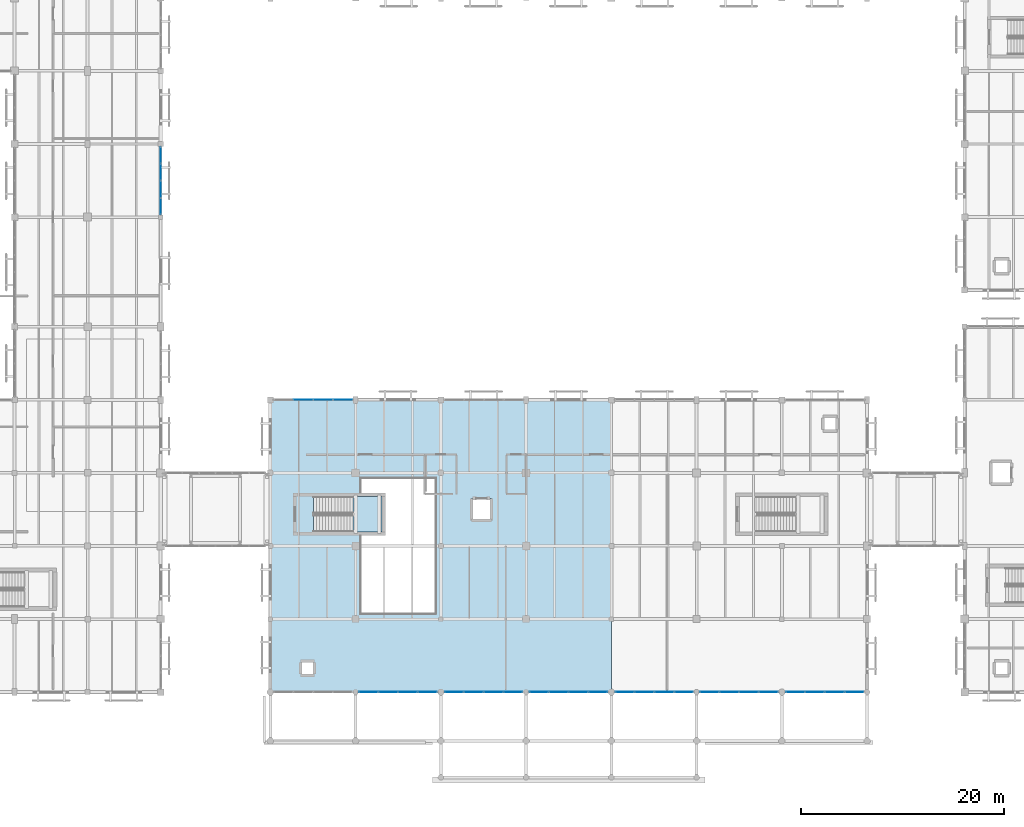
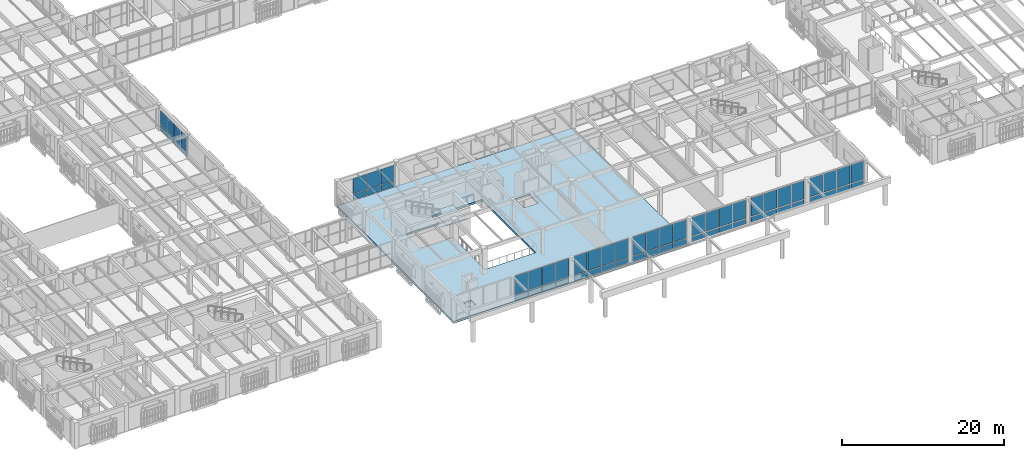
# One storey, part 118 of 170: 62 plates, 2 slabs, 9 elements without a shape of their own.
"""IFC4 building model written with IfcOpenShell, lengths in metres."""

from ifc_helpers import new_model, si_unit, direction, frame, origin, origin_2d, place, context, subcontext, project, spatial, polyline, rectangle, outline, extrude, material, layer, layer_set, type_object, element, aggregate, save


model = new_model("IFC4")

# Units and contexts
model_context = context("Model", 3, precision=1e-05, world=origin(), true_north=direction((0.0, 1.0)))
body_context = subcontext(model_context, "Body", "Model", "MODEL_VIEW")
ifc_project = project(units=[si_unit("LENGTHUNIT", "METRE"), si_unit("AREAUNIT", "SQUARE_METRE"), si_unit("VOLUMEUNIT", "CUBIC_METRE"), si_unit("PLANEANGLEUNIT", "RADIAN"), si_unit("MASSUNIT", "GRAM", prefix="KILO")], contexts=[model_context])

# Site, building, storey
site_placement = place(None, origin())
site = spatial("IfcSite", under=ifc_project, at=site_placement, CompositionType="ELEMENT")
building_placement = place(site_placement, origin())
building = spatial("IfcBuilding", under=site, at=building_placement, Name="Mazaris Harbour Polytechnic", CompositionType="ELEMENT")
storey_placement = place(building_placement, frame((0.0, 0.0, 5.39990234375)))
storey = spatial("IfcBuildingStorey", under=building, at=storey_placement, Name="L01", CompositionType="ELEMENT", Elevation=5.39990234375)

# Curtain wall, plates
ifc_material_1 = material(Name="Anodised Bronze Aluminium and Low-E Glass", Category="aluminium")
ifc_layer_1 = layer(ifc_material_1, 0.179931640625, Name="Anodised Bronze Aluminium and Low-E Glass")
ifc_layer_set_1 = layer_set([ifc_layer_1], Name="Anodised Bronze Aluminium and Low-E Glass")
curtain_wall_type_1 = type_object("IfcCurtainWallType", Name="Harbour Colonnade Curtain Wall", PredefinedType="NOTDEFINED", material=ifc_layer_set_1)
curtain_wall_1_placement = place(storey_placement, origin())
curtain_wall_1 = element("IfcCurtainWall", 1, at=curtain_wall_1_placement, inside=storey, type_object=curtain_wall_type_1, Name="V3 L01 Curtain Wall 69", PredefinedType="NOTDEFINED")
ifc_material_2 = material(Name="Low-E Double Glazing", Category="glass")
ifc_layer_2 = layer(ifc_material_2, 0.028076171875, Name="Low-E Double Glazing")
ifc_layer_set_2 = layer_set([ifc_layer_2], Name="Low-E Double Glazing")
plate_type = type_object("IfcPlateType", Name="Low-E Vision Glass Panel 28", PredefinedType="CURTAIN_PANEL", material=ifc_layer_set_2)
plate_1_placement = place(storey_placement, frame((69.48095703125, 7.199951171875, 0.1201171875), z_axis=(0.0, 0.0, 1.0), x_axis=(-1.0, 0.0, 0.0)))
plate_1 = element("IfcPlate", 2, at=plate_1_placement, type_object=plate_type, Name="CW-01 panel 1.1", PredefinedType="CURTAIN_PANEL", context=body_context, shape_type="SweptSolid", body=[
    extrude(rectangle(XDim=1.803955078125, YDim=0.028076171875, at=origin_2d()), origin(), (0.0, 0.0, 1.0), 0.77001953125),
])
plate_2_placement = place(storey_placement, frame((69.48095703125, 7.199951171875, 1.010009765625), z_axis=(0.0, 0.0, 1.0), x_axis=(-1.0, 0.0, 0.0)))
plate_2 = element("IfcPlate", 3, at=plate_2_placement, type_object=plate_type, Name="CW-01 panel 1.2", PredefinedType="CURTAIN_PANEL", context=body_context, shape_type="SweptSolid", body=[
    extrude(rectangle(XDim=1.803955078125, YDim=0.028076171875, at=origin_2d()), origin(), (0.0, 0.0, 1.0), 2.7900390625),
])
plate_3_placement = place(storey_placement, frame((67.552001953125, 7.199951171875, 0.1201171875), z_axis=(0.0, 0.0, 1.0), x_axis=(-1.0, 0.0, 0.0)))
plate_3 = element("IfcPlate", 4, at=plate_3_placement, type_object=plate_type, Name="CW-01 panel 2.1", PredefinedType="CURTAIN_PANEL", context=body_context, shape_type="SweptSolid", body=[
    extrude(rectangle(XDim=1.85400390625, YDim=0.028076171875, at=origin_2d()), origin(), (0.0, 0.0, 1.0), 0.77001953125),
])
plate_4_placement = place(storey_placement, frame((67.552001953125, 7.199951171875, 1.010009765625), z_axis=(0.0, 0.0, 1.0), x_axis=(-1.0, 0.0, 0.0)))
plate_4 = element("IfcPlate", 5, at=plate_4_placement, type_object=plate_type, Name="CW-01 panel 2.2", PredefinedType="CURTAIN_PANEL", context=body_context, shape_type="SweptSolid", body=[
    extrude(rectangle(XDim=1.85400390625, YDim=0.028076171875, at=origin_2d()), origin(), (0.0, 0.0, 1.0), 2.7900390625),
])
plate_5_placement = place(storey_placement, frame((65.597900390625, 7.199951171875, 0.1201171875), z_axis=(0.0, 0.0, 1.0), x_axis=(-1.0, 0.0, 0.0)))
plate_5 = element("IfcPlate", 6, at=plate_5_placement, type_object=plate_type, Name="CW-01 panel 3.1", PredefinedType="CURTAIN_PANEL", context=body_context, shape_type="SweptSolid", body=[
    extrude(rectangle(XDim=1.85400390625, YDim=0.028076171875, at=origin_2d()), origin(), (0.0, 0.0, 1.0), 0.77001953125),
])
plate_6_placement = place(storey_placement, frame((65.597900390625, 7.199951171875, 1.010009765625), z_axis=(0.0, 0.0, 1.0), x_axis=(-1.0, 0.0, 0.0)))
plate_6 = element("IfcPlate", 7, at=plate_6_placement, type_object=plate_type, Name="CW-01 panel 3.2", PredefinedType="CURTAIN_PANEL", context=body_context, shape_type="SweptSolid", body=[
    extrude(rectangle(XDim=1.85400390625, YDim=0.028076171875, at=origin_2d()), origin(), (0.0, 0.0, 1.0), 2.7900390625),
])
plate_7_placement = place(storey_placement, frame((63.6689453125, 7.199951171875, 0.1201171875), z_axis=(0.0, 0.0, 1.0), x_axis=(-1.0, 0.0, 0.0)))
plate_7 = element("IfcPlate", 8, at=plate_7_placement, type_object=plate_type, Name="CW-01 panel 4.1", PredefinedType="CURTAIN_PANEL", context=body_context, shape_type="SweptSolid", body=[
    extrude(rectangle(XDim=1.803955078125, YDim=0.028076171875, at=origin_2d()), origin(), (0.0, 0.0, 1.0), 0.77001953125),
])
plate_8_placement = place(storey_placement, frame((63.6689453125, 7.199951171875, 1.010009765625), z_axis=(0.0, 0.0, 1.0), x_axis=(-1.0, 0.0, 0.0)))
plate_8 = element("IfcPlate", 9, at=plate_8_placement, type_object=plate_type, Name="CW-01 panel 4.2", PredefinedType="CURTAIN_PANEL", context=body_context, shape_type="SweptSolid", body=[
    extrude(rectangle(XDim=1.803955078125, YDim=0.028076171875, at=origin_2d()), origin(), (0.0, 0.0, 1.0), 2.7900390625),
])
aggregate(curtain_wall_1, [plate_1, plate_2, plate_3, plate_4, plate_5, plate_6, plate_7, plate_8])

curtain_wall_2_placement = place(storey_placement, origin())
curtain_wall_2 = element("IfcCurtainWall", 10, at=curtain_wall_2_placement, inside=storey, type_object=curtain_wall_type_1, Name="V3 L01 Curtain Wall 70", PredefinedType="NOTDEFINED")
plate_9_placement = place(storey_placement, frame((77.930908203125, 7.199951171875, 0.1201171875), z_axis=(0.0, 0.0, 1.0), x_axis=(-1.0, 0.0, 0.0)))
plate_9 = element("IfcPlate", 11, at=plate_9_placement, type_object=plate_type, Name="CW-01 panel 1.1", PredefinedType="CURTAIN_PANEL", context=body_context, shape_type="SweptSolid", body=[
    extrude(rectangle(XDim=1.803955078125, YDim=0.028076171875, at=origin_2d()), origin(), (0.0, 0.0, 1.0), 0.77001953125),
])
plate_10_placement = place(storey_placement, frame((77.930908203125, 7.199951171875, 1.010009765625), z_axis=(0.0, 0.0, 1.0), x_axis=(-1.0, 0.0, 0.0)))
plate_10 = element("IfcPlate", 12, at=plate_10_placement, type_object=plate_type, Name="CW-01 panel 1.2", PredefinedType="CURTAIN_PANEL", context=body_context, shape_type="SweptSolid", body=[
    extrude(rectangle(XDim=1.803955078125, YDim=0.028076171875, at=origin_2d()), origin(), (0.0, 0.0, 1.0), 2.7900390625),
])
plate_11_placement = place(storey_placement, frame((76.001953125, 7.199951171875, 0.1201171875), z_axis=(0.0, 0.0, 1.0), x_axis=(-1.0, 0.0, 0.0)))
plate_11 = element("IfcPlate", 13, at=plate_11_placement, type_object=plate_type, Name="CW-01 panel 2.1", PredefinedType="CURTAIN_PANEL", context=body_context, shape_type="SweptSolid", body=[
    extrude(rectangle(XDim=1.85400390625, YDim=0.028076171875, at=origin_2d()), origin(), (0.0, 0.0, 1.0), 0.77001953125),
])
plate_12_placement = place(storey_placement, frame((76.001953125, 7.199951171875, 1.010009765625), z_axis=(0.0, 0.0, 1.0), x_axis=(-1.0, 0.0, 0.0)))
plate_12 = element("IfcPlate", 14, at=plate_12_placement, type_object=plate_type, Name="CW-01 panel 2.2", PredefinedType="CURTAIN_PANEL", context=body_context, shape_type="SweptSolid", body=[
    extrude(rectangle(XDim=1.85400390625, YDim=0.028076171875, at=origin_2d()), origin(), (0.0, 0.0, 1.0), 2.7900390625),
])
plate_13_placement = place(storey_placement, frame((74.048095703125, 7.199951171875, 0.1201171875), z_axis=(0.0, 0.0, 1.0), x_axis=(-1.0, 0.0, 0.0)))
plate_13 = element("IfcPlate", 15, at=plate_13_placement, type_object=plate_type, Name="CW-01 panel 3.1", PredefinedType="CURTAIN_PANEL", context=body_context, shape_type="SweptSolid", body=[
    extrude(rectangle(XDim=1.85400390625, YDim=0.028076171875, at=origin_2d()), origin(), (0.0, 0.0, 1.0), 0.77001953125),
])
plate_14_placement = place(storey_placement, frame((74.048095703125, 7.199951171875, 1.010009765625), z_axis=(0.0, 0.0, 1.0), x_axis=(-1.0, 0.0, 0.0)))
plate_14 = element("IfcPlate", 16, at=plate_14_placement, type_object=plate_type, Name="CW-01 panel 3.2", PredefinedType="CURTAIN_PANEL", context=body_context, shape_type="SweptSolid", body=[
    extrude(rectangle(XDim=1.85400390625, YDim=0.028076171875, at=origin_2d()), origin(), (0.0, 0.0, 1.0), 2.7900390625),
])
plate_15_placement = place(storey_placement, frame((72.118896484375, 7.199951171875, 0.1201171875), z_axis=(0.0, 0.0, 1.0), x_axis=(-1.0, 0.0, 0.0)))
plate_15 = element("IfcPlate", 17, at=plate_15_placement, type_object=plate_type, Name="CW-01 panel 4.1", PredefinedType="CURTAIN_PANEL", context=body_context, shape_type="SweptSolid", body=[
    extrude(rectangle(XDim=1.803955078125, YDim=0.028076171875, at=origin_2d()), origin(), (0.0, 0.0, 1.0), 0.77001953125),
])
plate_16_placement = place(storey_placement, frame((72.118896484375, 7.199951171875, 1.010009765625), z_axis=(0.0, 0.0, 1.0), x_axis=(-1.0, 0.0, 0.0)))
plate_16 = element("IfcPlate", 18, at=plate_16_placement, type_object=plate_type, Name="CW-01 panel 4.2", PredefinedType="CURTAIN_PANEL", context=body_context, shape_type="SweptSolid", body=[
    extrude(rectangle(XDim=1.803955078125, YDim=0.028076171875, at=origin_2d()), origin(), (0.0, 0.0, 1.0), 2.7900390625),
])
aggregate(curtain_wall_2, [plate_9, plate_10, plate_11, plate_12, plate_13, plate_14, plate_15, plate_16])

curtain_wall_3_placement = place(storey_placement, origin())
curtain_wall_3 = element("IfcCurtainWall", 19, at=curtain_wall_3_placement, inside=storey, type_object=curtain_wall_type_1, Name="V3 L01 Curtain Wall 71", PredefinedType="NOTDEFINED")
plate_17_placement = place(storey_placement, frame((86.281005859375, 7.199951171875, 0.1201171875), z_axis=(0.0, 0.0, 1.0), x_axis=(-1.0, 0.0, 0.0)))
plate_17 = element("IfcPlate", 20, at=plate_17_placement, type_object=plate_type, Name="CW-01 panel 1.1", PredefinedType="CURTAIN_PANEL", context=body_context, shape_type="SweptSolid", body=[
    extrude(rectangle(XDim=1.803955078125, YDim=0.028076171875, at=origin_2d()), origin(), (0.0, 0.0, 1.0), 0.77001953125),
])
plate_18_placement = place(storey_placement, frame((86.281005859375, 7.199951171875, 1.010009765625), z_axis=(0.0, 0.0, 1.0), x_axis=(-1.0, 0.0, 0.0)))
plate_18 = element("IfcPlate", 21, at=plate_18_placement, type_object=plate_type, Name="CW-01 panel 1.2", PredefinedType="CURTAIN_PANEL", context=body_context, shape_type="SweptSolid", body=[
    extrude(rectangle(XDim=1.803955078125, YDim=0.028076171875, at=origin_2d()), origin(), (0.0, 0.0, 1.0), 2.7900390625),
])
plate_19_placement = place(storey_placement, frame((84.35205078125, 7.199951171875, 0.1201171875), z_axis=(0.0, 0.0, 1.0), x_axis=(-1.0, 0.0, 0.0)))
plate_19 = element("IfcPlate", 22, at=plate_19_placement, type_object=plate_type, Name="CW-01 panel 2.1", PredefinedType="CURTAIN_PANEL", context=body_context, shape_type="SweptSolid", body=[
    extrude(rectangle(XDim=1.85400390625, YDim=0.028076171875, at=origin_2d()), origin(), (0.0, 0.0, 1.0), 0.77001953125),
])
plate_20_placement = place(storey_placement, frame((84.35205078125, 7.199951171875, 1.010009765625), z_axis=(0.0, 0.0, 1.0), x_axis=(-1.0, 0.0, 0.0)))
plate_20 = element("IfcPlate", 23, at=plate_20_placement, type_object=plate_type, Name="CW-01 panel 2.2", PredefinedType="CURTAIN_PANEL", context=body_context, shape_type="SweptSolid", body=[
    extrude(rectangle(XDim=1.85400390625, YDim=0.028076171875, at=origin_2d()), origin(), (0.0, 0.0, 1.0), 2.7900390625),
])
plate_21_placement = place(storey_placement, frame((82.39794921875, 7.199951171875, 0.1201171875), z_axis=(0.0, 0.0, 1.0), x_axis=(-1.0, 0.0, 0.0)))
plate_21 = element("IfcPlate", 24, at=plate_21_placement, type_object=plate_type, Name="CW-01 panel 3.1", PredefinedType="CURTAIN_PANEL", context=body_context, shape_type="SweptSolid", body=[
    extrude(rectangle(XDim=1.85400390625, YDim=0.028076171875, at=origin_2d()), origin(), (0.0, 0.0, 1.0), 0.77001953125),
])
plate_22_placement = place(storey_placement, frame((82.39794921875, 7.199951171875, 1.010009765625), z_axis=(0.0, 0.0, 1.0), x_axis=(-1.0, 0.0, 0.0)))
plate_22 = element("IfcPlate", 25, at=plate_22_placement, type_object=plate_type, Name="CW-01 panel 3.2", PredefinedType="CURTAIN_PANEL", context=body_context, shape_type="SweptSolid", body=[
    extrude(rectangle(XDim=1.85400390625, YDim=0.028076171875, at=origin_2d()), origin(), (0.0, 0.0, 1.0), 2.7900390625),
])
plate_23_placement = place(storey_placement, frame((80.468994140625, 7.199951171875, 0.1201171875), z_axis=(0.0, 0.0, 1.0), x_axis=(-1.0, 0.0, 0.0)))
plate_23 = element("IfcPlate", 26, at=plate_23_placement, type_object=plate_type, Name="CW-01 panel 4.1", PredefinedType="CURTAIN_PANEL", context=body_context, shape_type="SweptSolid", body=[
    extrude(rectangle(XDim=1.803955078125, YDim=0.028076171875, at=origin_2d()), origin(), (0.0, 0.0, 1.0), 0.77001953125),
])
plate_24_placement = place(storey_placement, frame((80.468994140625, 7.199951171875, 1.010009765625), z_axis=(0.0, 0.0, 1.0), x_axis=(-1.0, 0.0, 0.0)))
plate_24 = element("IfcPlate", 27, at=plate_24_placement, type_object=plate_type, Name="CW-01 panel 4.2", PredefinedType="CURTAIN_PANEL", context=body_context, shape_type="SweptSolid", body=[
    extrude(rectangle(XDim=1.803955078125, YDim=0.028076171875, at=origin_2d()), origin(), (0.0, 0.0, 1.0), 2.7900390625),
])
aggregate(curtain_wall_3, [plate_17, plate_18, plate_19, plate_20, plate_21, plate_22, plate_23, plate_24])

curtain_wall_4_placement = place(storey_placement, origin())
curtain_wall_4 = element("IfcCurtainWall", 28, at=curtain_wall_4_placement, inside=storey, type_object=curtain_wall_type_1, Name="V3 L01 Curtain Wall 72", PredefinedType="NOTDEFINED")
plate_25_placement = place(storey_placement, frame((94.73095703125, 7.199951171875, 0.1201171875), z_axis=(0.0, 0.0, 1.0), x_axis=(-1.0, 0.0, 0.0)))
plate_25 = element("IfcPlate", 29, at=plate_25_placement, type_object=plate_type, Name="CW-01 panel 1.1", PredefinedType="CURTAIN_PANEL", context=body_context, shape_type="SweptSolid", body=[
    extrude(rectangle(XDim=1.803955078125, YDim=0.028076171875, at=origin_2d()), origin(), (0.0, 0.0, 1.0), 0.77001953125),
])
plate_26_placement = place(storey_placement, frame((94.73095703125, 7.199951171875, 1.010009765625), z_axis=(0.0, 0.0, 1.0), x_axis=(-1.0, 0.0, 0.0)))
plate_26 = element("IfcPlate", 30, at=plate_26_placement, type_object=plate_type, Name="CW-01 panel 1.2", PredefinedType="CURTAIN_PANEL", context=body_context, shape_type="SweptSolid", body=[
    extrude(rectangle(XDim=1.803955078125, YDim=0.028076171875, at=origin_2d()), origin(), (0.0, 0.0, 1.0), 2.7900390625),
])
plate_27_placement = place(storey_placement, frame((92.802001953125, 7.199951171875, 0.1201171875), z_axis=(0.0, 0.0, 1.0), x_axis=(-1.0, 0.0, 0.0)))
plate_27 = element("IfcPlate", 31, at=plate_27_placement, type_object=plate_type, Name="CW-01 panel 2.1", PredefinedType="CURTAIN_PANEL", context=body_context, shape_type="SweptSolid", body=[
    extrude(rectangle(XDim=1.85400390625, YDim=0.028076171875, at=origin_2d()), origin(), (0.0, 0.0, 1.0), 0.77001953125),
])
plate_28_placement = place(storey_placement, frame((92.802001953125, 7.199951171875, 1.010009765625), z_axis=(0.0, 0.0, 1.0), x_axis=(-1.0, 0.0, 0.0)))
plate_28 = element("IfcPlate", 32, at=plate_28_placement, type_object=plate_type, Name="CW-01 panel 2.2", PredefinedType="CURTAIN_PANEL", context=body_context, shape_type="SweptSolid", body=[
    extrude(rectangle(XDim=1.85400390625, YDim=0.028076171875, at=origin_2d()), origin(), (0.0, 0.0, 1.0), 2.7900390625),
])
plate_29_placement = place(storey_placement, frame((90.847900390625, 7.199951171875, 0.1201171875), z_axis=(0.0, 0.0, 1.0), x_axis=(-1.0, 0.0, 0.0)))
plate_29 = element("IfcPlate", 33, at=plate_29_placement, type_object=plate_type, Name="CW-01 panel 3.1", PredefinedType="CURTAIN_PANEL", context=body_context, shape_type="SweptSolid", body=[
    extrude(rectangle(XDim=1.85400390625, YDim=0.028076171875, at=origin_2d()), origin(), (0.0, 0.0, 1.0), 0.77001953125),
])
plate_30_placement = place(storey_placement, frame((90.847900390625, 7.199951171875, 1.010009765625), z_axis=(0.0, 0.0, 1.0), x_axis=(-1.0, 0.0, 0.0)))
plate_30 = element("IfcPlate", 34, at=plate_30_placement, type_object=plate_type, Name="CW-01 panel 3.2", PredefinedType="CURTAIN_PANEL", context=body_context, shape_type="SweptSolid", body=[
    extrude(rectangle(XDim=1.85400390625, YDim=0.028076171875, at=origin_2d()), origin(), (0.0, 0.0, 1.0), 2.7900390625),
])
plate_31_placement = place(storey_placement, frame((88.9189453125, 7.199951171875, 0.1201171875), z_axis=(0.0, 0.0, 1.0), x_axis=(-1.0, 0.0, 0.0)))
plate_31 = element("IfcPlate", 35, at=plate_31_placement, type_object=plate_type, Name="CW-01 panel 4.1", PredefinedType="CURTAIN_PANEL", context=body_context, shape_type="SweptSolid", body=[
    extrude(rectangle(XDim=1.803955078125, YDim=0.028076171875, at=origin_2d()), origin(), (0.0, 0.0, 1.0), 0.77001953125),
])
plate_32_placement = place(storey_placement, frame((88.9189453125, 7.199951171875, 1.010009765625), z_axis=(0.0, 0.0, 1.0), x_axis=(-1.0, 0.0, 0.0)))
plate_32 = element("IfcPlate", 36, at=plate_32_placement, type_object=plate_type, Name="CW-01 panel 4.2", PredefinedType="CURTAIN_PANEL", context=body_context, shape_type="SweptSolid", body=[
    extrude(rectangle(XDim=1.803955078125, YDim=0.028076171875, at=origin_2d()), origin(), (0.0, 0.0, 1.0), 2.7900390625),
])
aggregate(curtain_wall_4, [plate_25, plate_26, plate_27, plate_28, plate_29, plate_30, plate_31, plate_32])

curtain_wall_5_placement = place(storey_placement, origin())
curtain_wall_5 = element("IfcCurtainWall", 37, at=curtain_wall_5_placement, inside=storey, type_object=curtain_wall_type_1, Name="V3 L01 Curtain Wall 73", PredefinedType="NOTDEFINED")
plate_33_placement = place(storey_placement, frame((103.0810546875, 7.199951171875, 0.1201171875), z_axis=(0.0, 0.0, 1.0), x_axis=(-1.0, 0.0, 0.0)))
plate_33 = element("IfcPlate", 38, at=plate_33_placement, type_object=plate_type, Name="CW-01 panel 1.1", PredefinedType="CURTAIN_PANEL", context=body_context, shape_type="SweptSolid", body=[
    extrude(rectangle(XDim=1.803955078125, YDim=0.028076171875, at=origin_2d()), origin(), (0.0, 0.0, 1.0), 0.77001953125),
])
plate_34_placement = place(storey_placement, frame((103.0810546875, 7.199951171875, 1.010009765625), z_axis=(0.0, 0.0, 1.0), x_axis=(-1.0, 0.0, 0.0)))
plate_34 = element("IfcPlate", 39, at=plate_34_placement, type_object=plate_type, Name="CW-01 panel 1.2", PredefinedType="CURTAIN_PANEL", context=body_context, shape_type="SweptSolid", body=[
    extrude(rectangle(XDim=1.803955078125, YDim=0.028076171875, at=origin_2d()), origin(), (0.0, 0.0, 1.0), 2.7900390625),
])
plate_35_placement = place(storey_placement, frame((101.152099609375, 7.199951171875, 0.1201171875), z_axis=(0.0, 0.0, 1.0), x_axis=(-1.0, 0.0, 0.0)))
plate_35 = element("IfcPlate", 40, at=plate_35_placement, type_object=plate_type, Name="CW-01 panel 2.1", PredefinedType="CURTAIN_PANEL", context=body_context, shape_type="SweptSolid", body=[
    extrude(rectangle(XDim=1.85400390625, YDim=0.028076171875, at=origin_2d()), origin(), (0.0, 0.0, 1.0), 0.77001953125),
])
plate_36_placement = place(storey_placement, frame((101.152099609375, 7.199951171875, 1.010009765625), z_axis=(0.0, 0.0, 1.0), x_axis=(-1.0, 0.0, 0.0)))
plate_36 = element("IfcPlate", 41, at=plate_36_placement, type_object=plate_type, Name="CW-01 panel 2.2", PredefinedType="CURTAIN_PANEL", context=body_context, shape_type="SweptSolid", body=[
    extrude(rectangle(XDim=1.85400390625, YDim=0.028076171875, at=origin_2d()), origin(), (0.0, 0.0, 1.0), 2.7900390625),
])
plate_37_placement = place(storey_placement, frame((99.197998046875, 7.199951171875, 0.1201171875), z_axis=(0.0, 0.0, 1.0), x_axis=(-1.0, 0.0, 0.0)))
plate_37 = element("IfcPlate", 42, at=plate_37_placement, type_object=plate_type, Name="CW-01 panel 3.1", PredefinedType="CURTAIN_PANEL", context=body_context, shape_type="SweptSolid", body=[
    extrude(rectangle(XDim=1.85400390625, YDim=0.028076171875, at=origin_2d()), origin(), (0.0, 0.0, 1.0), 0.77001953125),
])
plate_38_placement = place(storey_placement, frame((99.197998046875, 7.199951171875, 1.010009765625), z_axis=(0.0, 0.0, 1.0), x_axis=(-1.0, 0.0, 0.0)))
plate_38 = element("IfcPlate", 43, at=plate_38_placement, type_object=plate_type, Name="CW-01 panel 3.2", PredefinedType="CURTAIN_PANEL", context=body_context, shape_type="SweptSolid", body=[
    extrude(rectangle(XDim=1.85400390625, YDim=0.028076171875, at=origin_2d()), origin(), (0.0, 0.0, 1.0), 2.7900390625),
])
plate_39_placement = place(storey_placement, frame((97.26904296875, 7.199951171875, 0.1201171875), z_axis=(0.0, 0.0, 1.0), x_axis=(-1.0, 0.0, 0.0)))
plate_39 = element("IfcPlate", 44, at=plate_39_placement, type_object=plate_type, Name="CW-01 panel 4.1", PredefinedType="CURTAIN_PANEL", context=body_context, shape_type="SweptSolid", body=[
    extrude(rectangle(XDim=1.803955078125, YDim=0.028076171875, at=origin_2d()), origin(), (0.0, 0.0, 1.0), 0.77001953125),
])
plate_40_placement = place(storey_placement, frame((97.26904296875, 7.199951171875, 1.010009765625), z_axis=(0.0, 0.0, 1.0), x_axis=(-1.0, 0.0, 0.0)))
plate_40 = element("IfcPlate", 45, at=plate_40_placement, type_object=plate_type, Name="CW-01 panel 4.2", PredefinedType="CURTAIN_PANEL", context=body_context, shape_type="SweptSolid", body=[
    extrude(rectangle(XDim=1.803955078125, YDim=0.028076171875, at=origin_2d()), origin(), (0.0, 0.0, 1.0), 2.7900390625),
])
aggregate(curtain_wall_5, [plate_33, plate_34, plate_35, plate_36, plate_37, plate_38, plate_39, plate_40])

curtain_wall_6_placement = place(storey_placement, origin())
curtain_wall_6 = element("IfcCurtainWall", 46, at=curtain_wall_6_placement, inside=storey, type_object=curtain_wall_type_1, Name="V3 L01 Curtain Wall 74", PredefinedType="NOTDEFINED")
plate_41_placement = place(storey_placement, frame((111.531005859375, 7.199951171875, 0.1201171875), z_axis=(0.0, 0.0, 1.0), x_axis=(-1.0, 0.0, 0.0)))
plate_41 = element("IfcPlate", 47, at=plate_41_placement, type_object=plate_type, Name="CW-01 panel 1.1", PredefinedType="CURTAIN_PANEL", context=body_context, shape_type="SweptSolid", body=[
    extrude(rectangle(XDim=1.803955078125, YDim=0.028076171875, at=origin_2d()), origin(), (0.0, 0.0, 1.0), 0.77001953125),
])
plate_42_placement = place(storey_placement, frame((111.531005859375, 7.199951171875, 1.010009765625), z_axis=(0.0, 0.0, 1.0), x_axis=(-1.0, 0.0, 0.0)))
plate_42 = element("IfcPlate", 48, at=plate_42_placement, type_object=plate_type, Name="CW-01 panel 1.2", PredefinedType="CURTAIN_PANEL", context=body_context, shape_type="SweptSolid", body=[
    extrude(rectangle(XDim=1.803955078125, YDim=0.028076171875, at=origin_2d()), origin(), (0.0, 0.0, 1.0), 2.7900390625),
])
plate_43_placement = place(storey_placement, frame((109.60205078125, 7.199951171875, 0.1201171875), z_axis=(0.0, 0.0, 1.0), x_axis=(-1.0, 0.0, 0.0)))
plate_43 = element("IfcPlate", 49, at=plate_43_placement, type_object=plate_type, Name="CW-01 panel 2.1", PredefinedType="CURTAIN_PANEL", context=body_context, shape_type="SweptSolid", body=[
    extrude(rectangle(XDim=1.85400390625, YDim=0.028076171875, at=origin_2d()), origin(), (0.0, 0.0, 1.0), 0.77001953125),
])
plate_44_placement = place(storey_placement, frame((109.60205078125, 7.199951171875, 1.010009765625), z_axis=(0.0, 0.0, 1.0), x_axis=(-1.0, 0.0, 0.0)))
plate_44 = element("IfcPlate", 50, at=plate_44_placement, type_object=plate_type, Name="CW-01 panel 2.2", PredefinedType="CURTAIN_PANEL", context=body_context, shape_type="SweptSolid", body=[
    extrude(rectangle(XDim=1.85400390625, YDim=0.028076171875, at=origin_2d()), origin(), (0.0, 0.0, 1.0), 2.7900390625),
])
plate_45_placement = place(storey_placement, frame((107.64794921875, 7.199951171875, 0.1201171875), z_axis=(0.0, 0.0, 1.0), x_axis=(-1.0, 0.0, 0.0)))
plate_45 = element("IfcPlate", 51, at=plate_45_placement, type_object=plate_type, Name="CW-01 panel 3.1", PredefinedType="CURTAIN_PANEL", context=body_context, shape_type="SweptSolid", body=[
    extrude(rectangle(XDim=1.85400390625, YDim=0.028076171875, at=origin_2d()), origin(), (0.0, 0.0, 1.0), 0.77001953125),
])
plate_46_placement = place(storey_placement, frame((107.64794921875, 7.199951171875, 1.010009765625), z_axis=(0.0, 0.0, 1.0), x_axis=(-1.0, 0.0, 0.0)))
plate_46 = element("IfcPlate", 52, at=plate_46_placement, type_object=plate_type, Name="CW-01 panel 3.2", PredefinedType="CURTAIN_PANEL", context=body_context, shape_type="SweptSolid", body=[
    extrude(rectangle(XDim=1.85400390625, YDim=0.028076171875, at=origin_2d()), origin(), (0.0, 0.0, 1.0), 2.7900390625),
])
plate_47_placement = place(storey_placement, frame((105.718994140625, 7.199951171875, 0.1201171875), z_axis=(0.0, 0.0, 1.0), x_axis=(-1.0, 0.0, 0.0)))
plate_47 = element("IfcPlate", 53, at=plate_47_placement, type_object=plate_type, Name="CW-01 panel 4.1", PredefinedType="CURTAIN_PANEL", context=body_context, shape_type="SweptSolid", body=[
    extrude(rectangle(XDim=1.803955078125, YDim=0.028076171875, at=origin_2d()), origin(), (0.0, 0.0, 1.0), 0.77001953125),
])
plate_48_placement = place(storey_placement, frame((105.718994140625, 7.199951171875, 1.010009765625), z_axis=(0.0, 0.0, 1.0), x_axis=(-1.0, 0.0, 0.0)))
plate_48 = element("IfcPlate", 54, at=plate_48_placement, type_object=plate_type, Name="CW-01 panel 4.2", PredefinedType="CURTAIN_PANEL", context=body_context, shape_type="SweptSolid", body=[
    extrude(rectangle(XDim=1.803955078125, YDim=0.028076171875, at=origin_2d()), origin(), (0.0, 0.0, 1.0), 2.7900390625),
])
aggregate(curtain_wall_6, [plate_41, plate_42, plate_43, plate_44, plate_45, plate_46, plate_47, plate_48])

ifc_material_3 = material(Name="Anodised Bronze Aluminium and Low-E Glass", Category="aluminium")
ifc_layer_3 = layer(ifc_material_3, 0.159912109375, Name="Anodised Bronze Aluminium and Low-E Glass")
ifc_layer_set_3 = layer_set([ifc_layer_3], Name="Anodised Bronze Aluminium and Low-E Glass")
curtain_wall_type_2 = type_object("IfcCurtainWallType", Name="Cloister Court Curtain Wall", PredefinedType="NOTDEFINED", material=ifc_layer_set_3)
curtain_wall_7_placement = place(storey_placement, origin())
curtain_wall_7 = element("IfcCurtainWall", 55, at=curtain_wall_7_placement, inside=storey, type_object=curtain_wall_type_2, Name="V3 L01 Curtain Wall 75", PredefinedType="NOTDEFINED")
plate_49_placement = place(storey_placement, frame((57.24169921875, 36.0, 0.080078125), z_axis=(0.0, 0.0, 1.0), x_axis=(1.0, 0.0, 0.0)))
plate_49 = element("IfcPlate", 56, at=plate_49_placement, type_object=plate_type, Name="CW-02 panel 2.1", PredefinedType="CURTAIN_PANEL", context=body_context, shape_type="SweptSolid", body=[
    extrude(rectangle(XDim=1.886474609375, YDim=0.028076171875, at=origin_2d()), origin(), (0.0, 0.0, 1.0), 0.830078125),
])
plate_50_placement = place(storey_placement, frame((57.24169921875, 36.0, 0.990234375), z_axis=(0.0, 0.0, 1.0), x_axis=(1.0, 0.0, 0.0)))
plate_50 = element("IfcPlate", 57, at=plate_50_placement, type_object=plate_type, Name="CW-02 panel 2.2", PredefinedType="CURTAIN_PANEL", context=body_context, shape_type="SweptSolid", body=[
    extrude(rectangle(XDim=1.886474609375, YDim=0.028076171875, at=origin_2d()), origin(), (0.0, 0.0, 1.0), 2.320068359375),
])
plate_51_placement = place(storey_placement, frame((59.208251953125, 36.0, 0.080078125), z_axis=(0.0, 0.0, 1.0), x_axis=(1.0, 0.0, 0.0)))
plate_51 = element("IfcPlate", 58, at=plate_51_placement, type_object=plate_type, Name="CW-02 panel 3.1", PredefinedType="CURTAIN_PANEL", context=body_context, shape_type="SweptSolid", body=[
    extrude(rectangle(XDim=1.886474609375, YDim=0.028076171875, at=origin_2d()), origin(), (0.0, 0.0, 1.0), 0.830078125),
])
plate_52_placement = place(storey_placement, frame((59.208251953125, 36.0, 0.990234375), z_axis=(0.0, 0.0, 1.0), x_axis=(1.0, 0.0, 0.0)))
plate_52 = element("IfcPlate", 59, at=plate_52_placement, type_object=plate_type, Name="CW-02 panel 3.2", PredefinedType="CURTAIN_PANEL", context=body_context, shape_type="SweptSolid", body=[
    extrude(rectangle(XDim=1.886474609375, YDim=0.028076171875, at=origin_2d()), origin(), (0.0, 0.0, 1.0), 2.320068359375),
])
plate_53_placement = place(storey_placement, frame((61.15478515625, 36.0, 0.080078125), z_axis=(0.0, 0.0, 1.0), x_axis=(1.0, 0.0, 0.0)))
plate_53 = element("IfcPlate", 60, at=plate_53_placement, type_object=plate_type, Name="CW-02 panel 4.1", PredefinedType="CURTAIN_PANEL", context=body_context, shape_type="SweptSolid", body=[
    extrude(rectangle(XDim=1.846435546875, YDim=0.028076171875, at=origin_2d()), origin(), (0.0, 0.0, 1.0), 0.830078125),
])
plate_54_placement = place(storey_placement, frame((61.15478515625, 36.0, 0.990234375), z_axis=(0.0, 0.0, 1.0), x_axis=(1.0, 0.0, 0.0)))
plate_54 = element("IfcPlate", 61, at=plate_54_placement, type_object=plate_type, Name="CW-02 panel 4.2", PredefinedType="CURTAIN_PANEL", context=body_context, shape_type="SweptSolid", body=[
    extrude(rectangle(XDim=1.846435546875, YDim=0.028076171875, at=origin_2d()), origin(), (0.0, 0.0, 1.0), 2.320068359375),
])
aggregate(curtain_wall_7, [plate_49, plate_50, plate_51, plate_52, plate_53, plate_54])

curtain_wall_8_placement = place(storey_placement, origin())
curtain_wall_8 = element("IfcCurtainWall", 62, at=curtain_wall_8_placement, inside=storey, type_object=curtain_wall_type_2, Name="V4 L01 Curtain Wall 113", PredefinedType="NOTDEFINED")
plate_55_placement = place(storey_placement, frame((43.199951171875, 60.095458984375, 0.080078125), z_axis=(0.0, 0.0, 1.0), x_axis=(0.0, -1.0, 0.0)))
plate_55 = element("IfcPlate", 63, at=plate_55_placement, type_object=plate_type, Name="CW-02 panel 1.1", PredefinedType="CURTAIN_PANEL", context=body_context, shape_type="SweptSolid", body=[
    extrude(rectangle(XDim=1.565185546875, YDim=0.028076171875, at=origin_2d()), origin(), (0.0, 0.0, 1.0), 0.830078125),
])
plate_56_placement = place(storey_placement, frame((43.199951171875, 60.095458984375, 0.990234375), z_axis=(0.0, 0.0, 1.0), x_axis=(0.0, -1.0, 0.0)))
plate_56 = element("IfcPlate", 64, at=plate_56_placement, type_object=plate_type, Name="CW-02 panel 1.2", PredefinedType="CURTAIN_PANEL", context=body_context, shape_type="SweptSolid", body=[
    extrude(rectangle(XDim=1.565185546875, YDim=0.028076171875, at=origin_2d()), origin(), (0.0, 0.0, 1.0), 2.1298828125),
])
plate_57_placement = place(storey_placement, frame((43.199951171875, 58.43017578125, 0.080078125), z_axis=(0.0, 0.0, 1.0), x_axis=(0.0, -1.0, 0.0)))
plate_57 = element("IfcPlate", 65, at=plate_57_placement, type_object=plate_type, Name="CW-02 panel 2.1", PredefinedType="CURTAIN_PANEL", context=body_context, shape_type="SweptSolid", body=[
    extrude(rectangle(XDim=1.605224609375, YDim=0.028076171875, at=origin_2d()), origin(), (0.0, 0.0, 1.0), 0.830078125),
])
plate_58_placement = place(storey_placement, frame((43.199951171875, 58.43017578125, 0.990234375), z_axis=(0.0, 0.0, 1.0), x_axis=(0.0, -1.0, 0.0)))
plate_58 = element("IfcPlate", 66, at=plate_58_placement, type_object=plate_type, Name="CW-02 panel 2.2", PredefinedType="CURTAIN_PANEL", context=body_context, shape_type="SweptSolid", body=[
    extrude(rectangle(XDim=1.605224609375, YDim=0.028076171875, at=origin_2d()), origin(), (0.0, 0.0, 1.0), 2.1298828125),
])
plate_59_placement = place(storey_placement, frame((43.199951171875, 56.744873046875, 0.080078125), z_axis=(0.0, 0.0, 1.0), x_axis=(0.0, -1.0, 0.0)))
plate_59 = element("IfcPlate", 67, at=plate_59_placement, type_object=plate_type, Name="CW-02 panel 3.1", PredefinedType="CURTAIN_PANEL", context=body_context, shape_type="SweptSolid", body=[
    extrude(rectangle(XDim=1.605224609375, YDim=0.028076171875, at=origin_2d()), origin(), (0.0, 0.0, 1.0), 0.830078125),
])
plate_60_placement = place(storey_placement, frame((43.199951171875, 56.744873046875, 0.990234375), z_axis=(0.0, 0.0, 1.0), x_axis=(0.0, -1.0, 0.0)))
plate_60 = element("IfcPlate", 68, at=plate_60_placement, type_object=plate_type, Name="CW-02 panel 3.2", PredefinedType="CURTAIN_PANEL", context=body_context, shape_type="SweptSolid", body=[
    extrude(rectangle(XDim=1.605224609375, YDim=0.028076171875, at=origin_2d()), origin(), (0.0, 0.0, 1.0), 2.1298828125),
])
plate_61_placement = place(storey_placement, frame((43.199951171875, 55.07958984375, 0.080078125), z_axis=(0.0, 0.0, 1.0), x_axis=(0.0, -1.0, 0.0)))
plate_61 = element("IfcPlate", 69, at=plate_61_placement, type_object=plate_type, Name="CW-02 panel 4.1", PredefinedType="CURTAIN_PANEL", context=body_context, shape_type="SweptSolid", body=[
    extrude(rectangle(XDim=1.565185546875, YDim=0.028076171875, at=origin_2d()), origin(), (0.0, 0.0, 1.0), 0.830078125),
])
plate_62_placement = place(storey_placement, frame((43.199951171875, 55.07958984375, 0.990234375), z_axis=(0.0, 0.0, 1.0), x_axis=(0.0, -1.0, 0.0)))
plate_62 = element("IfcPlate", 70, at=plate_62_placement, type_object=plate_type, Name="CW-02 panel 4.2", PredefinedType="CURTAIN_PANEL", context=body_context, shape_type="SweptSolid", body=[
    extrude(rectangle(XDim=1.565185546875, YDim=0.028076171875, at=origin_2d()), origin(), (0.0, 0.0, 1.0), 2.1298828125),
])
aggregate(curtain_wall_8, [plate_55, plate_56, plate_57, plate_58, plate_59, plate_60, plate_61, plate_62])

# Slab
ifc_material_4 = material(Name="Concrete C35/45", Category="concrete")
ifc_layer_4 = layer(ifc_material_4, 0.300048828125, Name="Concrete C35/45")
ifc_layer_set_4 = layer_set([ifc_layer_4], Name="Concrete C35/45")
slab_type_1 = type_object("IfcSlabType", Name="RC Podium Slab 300", PredefinedType="FLOOR", material=ifc_layer_set_4)
slab_1_placement = place(storey_placement, frame((0.0, 0.0, -0.2998046875)))
element("IfcSlab", 71, at=slab_1_placement, inside=storey, type_object=slab_type_1, Name="V3 L01 Floor Slab", PredefinedType="FLOOR", context=body_context, shape_type="SweptSolid", body=[
    extrude(outline(polyline([(87.60009765625, 36.0), (87.60009765625, 7.199951171875), (54.0, 7.199951171875), (54.0, 36.0), (87.60009765625, 36.0)]), holes=[polyline([(70.199951171875, 28.199951171875), (63.0, 28.199951171875), (63.0, 26.449951171875), (58.27490234375, 26.449951171875), (58.27490234375, 23.0), (63.0, 23.0), (63.0, 15.0), (70.199951171875, 15.0), (70.199951171875, 28.199951171875)]), polyline([(75.800048828125, 26.300048828125), (73.800048828125, 26.300048828125), (73.800048828125, 24.10009765625), (75.800048828125, 24.10009765625), (75.800048828125, 26.300048828125)]), polyline([(57.10009765625, 9.0), (58.219970703125, 9.0), (58.219970703125, 10.1201171875), (57.10009765625, 10.1201171875), (57.10009765625, 9.0)])]), origin(), (0.0, 0.0, 1.0), 0.2998046875),
])

# Stair, slab
ifc_material_5 = material(Name="Concrete C40/50", Category="concrete")
stair_type = type_object("IfcStairType", Name="Core Exit Stair H4200", PredefinedType="HALF_TURN_STAIR", material=ifc_material_5)
stair_placement = place(storey_placement, origin())
stair = element("IfcStair", 72, at=stair_placement, inside=storey, type_object=stair_type, Name="L01 ST05", PredefinedType="HALF_TURN_STAIR")
ifc_material_6 = material(Name="Concrete C40/50", Category="concrete")
ifc_layer_5 = layer(ifc_material_6, 0.199951171875, Name="Concrete C40/50")
ifc_layer_set_5 = layer_set([ifc_layer_5], Name="Concrete C40/50")
slab_type_2 = type_object("IfcSlabType", Name="RC Stair Landing 200", PredefinedType="LANDING", material=ifc_layer_set_5)
slab_2_placement = place(storey_placement, frame((0.0, 0.0, 1.900146484375)))
slab_2 = element("IfcSlab", 73, at=slab_2_placement, type_object=slab_type_2, Name="ST05 landing 1", PredefinedType="LANDING", context=body_context, shape_type="SweptSolid", body=[
    extrude(outline(polyline([(62.14990234375, 23.0), (65.0, 23.0), (65.0, 26.449951171875), (62.14990234375, 26.449951171875), (62.14990234375, 23.0)])), origin(), (0.0, 0.0, 1.0), 0.199951171875),
])
aggregate(stair, [slab_2])

save(model, "model.ifc")
